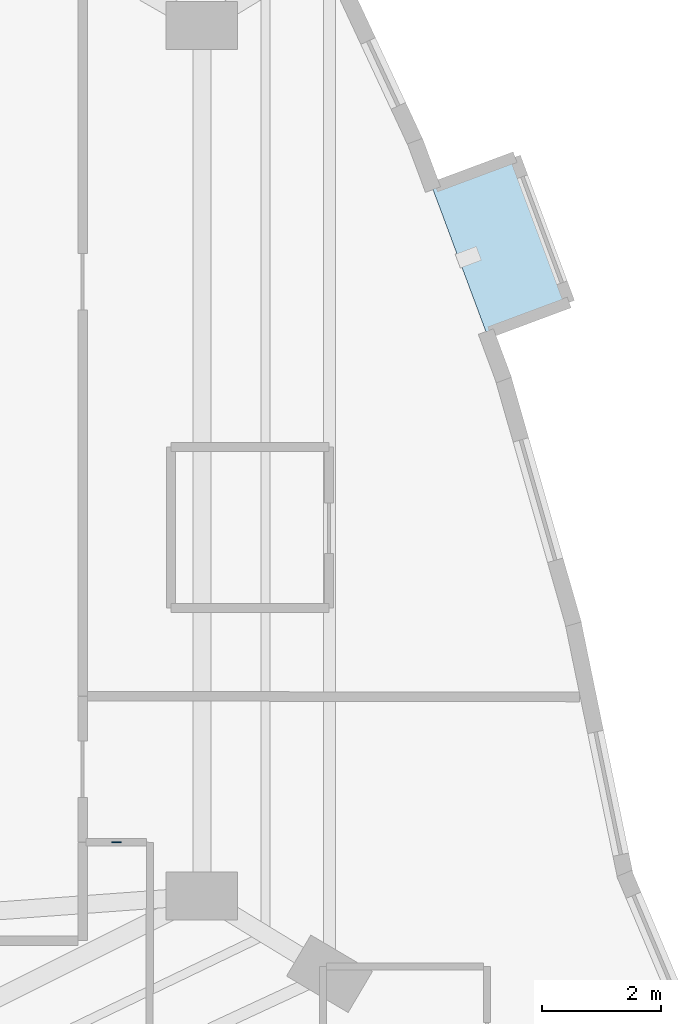
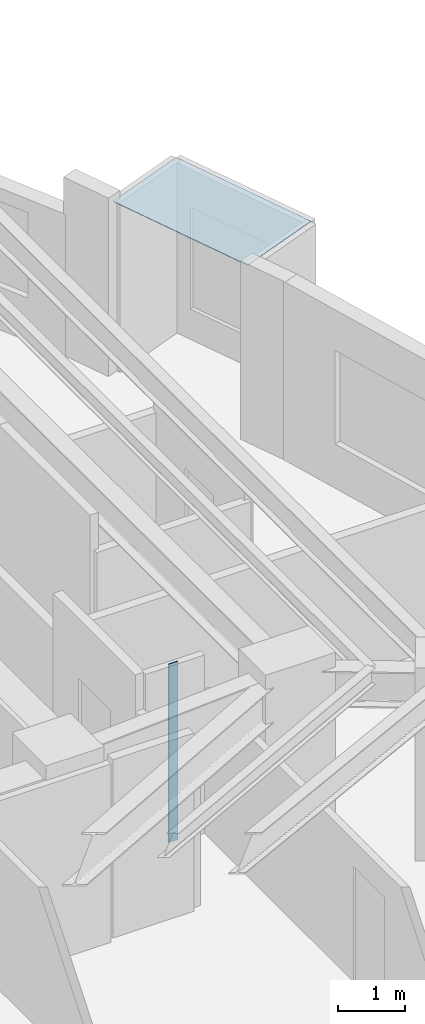
# One storey, part 3 of 10: 2 plates.
"""IFC4 building model written with IfcOpenShell, lengths in metres."""

import ifcopenshell
import ifcopenshell.guid

model = None  # the IFC model being written
_history = None  # IfcOwnerHistory: only IFC2X3 demands one
_inside = {}  # id of a spatial element -> (the spatial element, [elements in it])
_under = {}  # id of a project, library or spatial element -> (it, [spatial elements below it])
_declared = {}  # id of a project -> (the project, [libraries it declares])
_typed = {}  # id of a type object -> (the type object, [elements of that type])
_made_of = {}  # id of a material, layer set ... -> (it, [elements and type objects made of it])


def new_model(schema):
    """Start an empty IFC model of exactly this schema.

    Asked for "IFC4X3", IfcOpenShell would pick the latest addendum, in which some entities
    have other attributes; the version numbers below select the first issue.
    IFC2X3 requires an IfcOwnerHistory on every rooted entity: one is made here for all.
    """
    global model, _history
    if schema == "IFC4X3":
        model = ifcopenshell.file(schema_version=(4, 3, 0, 0))
    else:
        model = ifcopenshell.file(schema=schema)
    _inside.clear()
    _under.clear()
    _declared.clear()
    _typed.clear()
    _made_of.clear()
    _history = None
    if model.schema == "IFC2X3":
        org = make("IfcOrganization", Name="unknown")
        user = make(
            "IfcPersonAndOrganization",
            ThePerson=make("IfcPerson", FamilyName="unknown"),
            TheOrganization=org,
        )
        app = make(
            "IfcApplication",
            ApplicationDeveloper=org,
            Version="unknown",
            ApplicationFullName="unknown",
            ApplicationIdentifier="unknown",
        )
        _history = make(
            "IfcOwnerHistory",
            OwningUser=user,
            OwningApplication=app,
            ChangeAction="ADDED",
            CreationDate=0,
        )
    return model


def make(cls, **values):
    """One entity of the class cls with the attributes given. An attribute that is None is left unset."""
    return model.create_entity(
        cls, **{name: value for name, value in values.items() if value is not None}
    )


def rooted(cls, **values):
    """An entity with a GlobalId (a new one), such as an element, a storey or a relation."""
    return make(cls, GlobalId=ifcopenshell.guid.new(), OwnerHistory=_history, **values)


def si_unit(unit_type, name, prefix=None):
    """IfcSIUnit, for example si_unit("LENGTHUNIT", "METRE", prefix="MILLI")."""
    return make("IfcSIUnit", UnitType=unit_type, Prefix=prefix, Name=name)


def assignment(units):
    """IfcUnitAssignment: the units of a project."""
    return None if units is None else make("IfcUnitAssignment", Units=units)


def point(xyz):
    """IfcCartesianPoint."""
    return None if xyz is None else make("IfcCartesianPoint", Coordinates=xyz)


def direction(xyz):
    """IfcDirection."""
    return None if xyz is None else make("IfcDirection", DirectionRatios=xyz)


def frame(location, z_axis=None, x_axis=None):
    """IfcAxis2Placement3D, a coordinate frame: its origin and axes. An axis left out is left unset."""
    return make(
        "IfcAxis2Placement3D",
        Location=point(location),
        Axis=direction(z_axis),
        RefDirection=direction(x_axis),
    )


def frame_2d(location, x_axis=None):
    """IfcAxis2Placement2D, a coordinate frame in the plane: its origin and x axis."""
    return make(
        "IfcAxis2Placement2D", Location=point(location), RefDirection=direction(x_axis)
    )


def origin():
    """The frame at (0, 0, 0) with its axes left unset."""
    return frame((0.0, 0.0, 0.0))


def origin_2d():
    """The frame at (0, 0) in the plane with its x axis left unset."""
    return frame_2d((0.0, 0.0))


def place(relative_to, where):
    """IfcLocalPlacement: puts the frame where relative to a parent placement (None: the world)."""
    return make(
        "IfcLocalPlacement", PlacementRelTo=relative_to, RelativePlacement=where
    )


def context(
    kind, dimensions, precision=None, world=None, true_north=None, identifier=None
):
    """IfcGeometricRepresentationContext, for example the 3D "Model" context."""
    return make(
        "IfcGeometricRepresentationContext",
        ContextIdentifier=identifier,
        ContextType=kind,
        CoordinateSpaceDimension=dimensions,
        Precision=precision,
        WorldCoordinateSystem=world,
        TrueNorth=true_north,
    )


def subcontext(parent, identifier, kind, view, scale=None):
    """IfcGeometricRepresentationSubContext, for example "Body" below "Model"."""
    return make(
        "IfcGeometricRepresentationSubContext",
        ContextIdentifier=identifier,
        ContextType=kind,
        ParentContext=parent,
        TargetScale=scale,
        TargetView=view,
    )


def project(units=None, contexts=None):
    """IfcProject with its units and contexts."""
    return rooted(
        "IfcProject",
        Name="project",
        RepresentationContexts=contexts,
        UnitsInContext=assignment(units),
    )


def spatial(cls, under=None, at=None, **own):
    """A site, building, storey or space (cls), placed at a placement, below another one or the project."""
    s = rooted(cls, ObjectPlacement=at, **own)
    if under is not None:
        _under.setdefault(under.id(), (under, []))[1].append(s)
    return s


def polyline(points):
    """IfcPolyline through the points."""
    return make("IfcPolyline", Points=[point(p) for p in points])


def profile(cls, at=None, kind="AREA", **sizes):
    """A parametric profile (cls). Its sizes go by their IFC names, for example OverallWidth=200.0."""
    return make(cls, ProfileType=kind, Position=at, **sizes)


def rectangle(**sizes):
    """IfcRectangleProfileDef."""
    return profile("IfcRectangleProfileDef", **sizes)


def outline(outer, holes=None, kind="AREA"):
    """IfcArbitraryClosedProfileDef: a profile drawn as a closed curve; with holes, ...WithVoids."""
    if holes is None:
        return make("IfcArbitraryClosedProfileDef", ProfileType=kind, OuterCurve=outer)
    return make(
        "IfcArbitraryProfileDefWithVoids",
        ProfileType=kind,
        OuterCurve=outer,
        InnerCurves=holes,
    )


def extrude(swept, where, along, depth):
    """IfcExtrudedAreaSolid: the profile swept, set in the frame where, extruded along a direction by depth."""
    return make(
        "IfcExtrudedAreaSolid",
        SweptArea=swept,
        Position=where,
        ExtrudedDirection=direction(along),
        Depth=depth,
    )


def shape(context_of_items, identifier, shape_type, items):
    """IfcShapeRepresentation: the items that make up one representation, for example the "Body"."""
    return make(
        "IfcShapeRepresentation",
        ContextOfItems=context_of_items,
        RepresentationIdentifier=identifier,
        RepresentationType=shape_type,
        Items=items,
    )


def material(Name=None, Category=None):
    """IfcMaterial."""
    return make("IfcMaterial", Name=Name, Category=Category)


def layer(
    of_material, thickness, ventilated=None, Name=None, Category=None, Priority=None
):
    """IfcMaterialLayer: one layer of a wall or slab, of a material (None: an air gap)."""
    return make(
        "IfcMaterialLayer",
        Material=of_material,
        LayerThickness=thickness,
        IsVentilated=ventilated,
        Name=Name,
        Category=Category,
        Priority=Priority,
    )


def layer_set(layers, Name=None):
    """IfcMaterialLayerSet."""
    return make("IfcMaterialLayerSet", MaterialLayers=layers, LayerSetName=Name)


def made_of(thing, what):
    """Note that an element or type object is made of a material, layer set ...; save() writes the relation."""
    if what is not None:
        _made_of.setdefault(what.id(), (what, []))[1].append(thing)
    return thing


def type_object(cls, material=None, **own):
    """A type object (cls), such as IfcWallType, which elements share."""
    return made_of(rooted(cls, **own), material)


def element(
    cls,
    number,
    at=None,
    inside=None,
    cuts=None,
    type_object=None,
    material=None,
    context=None,
    identifier="Body",
    shape_type=None,
    held_by="IfcProductDefinitionShape",
    body=None,
    shapes=None,
    **own,
):
    """One element of the class cls, such as IfcWall. Its Tag is "e" and its number.

    at: its placement. inside: the storey or other place that contains it. cuts: it is an
    opening in that element (IfcRelVoidsElement). A single representation is given by context,
    identifier, shape_type and body (its items); several are given by shapes. held_by: the class
    of the entity that holds the representations. save() writes the other relations.
    """
    e = rooted(cls, Tag="e%d" % number, ObjectPlacement=at, **own)
    if body is not None:
        shapes = [shape(context, identifier, shape_type, body)]
    if shapes is not None:
        e.Representation = make(held_by, Representations=shapes)
    if inside is not None:
        _inside.setdefault(inside.id(), (inside, []))[1].append(e)
    if cuts is not None:
        rooted(
            "IfcRelVoidsElement", RelatingBuildingElement=cuts, RelatedOpeningElement=e
        )
    if type_object is not None:
        _typed.setdefault(type_object.id(), (type_object, []))[1].append(e)
    return made_of(e, material)


def aggregate(whole, parts):
    """IfcRelAggregates: a whole, such as a stair, and the parts it consists of."""
    return rooted("IfcRelAggregates", RelatingObject=whole, RelatedObjects=parts)


def save(model, path):
    """Write the relations noted so far, then the file.

    IfcRelAggregates (storeys below a building ...), IfcRelContainedInSpatialStructure (elements
    in a storey), IfcRelDefinesByType, IfcRelAssociatesMaterial and IfcRelDeclares: one each for
    every whole, place, type object, material and project.
    """
    for whole, parts in _under.values():
        aggregate(whole, parts)
    for where, things in _inside.values():
        rooted(
            "IfcRelContainedInSpatialStructure",
            RelatedElements=things,
            RelatingStructure=where,
        )
    for kind, things in _typed.values():
        rooted("IfcRelDefinesByType", RelatedObjects=things, RelatingType=kind)
    for what, things in _made_of.values():
        rooted("IfcRelAssociatesMaterial", RelatedObjects=things, RelatingMaterial=what)
    for by, libraries in _declared.values():
        rooted("IfcRelDeclares", RelatingContext=by, RelatedDefinitions=libraries)
    model.write(path)


model = new_model("IFC4")

# Units and contexts
model_context = context("Model", 3, precision=1e-05, world=origin(), true_north=direction((0.0, 1.0)))
body_context = subcontext(model_context, "Body", "Model", "MODEL_VIEW")
ifc_project = project(units=[si_unit("LENGTHUNIT", "METRE"), si_unit("AREAUNIT", "SQUARE_METRE"), si_unit("VOLUMEUNIT", "CUBIC_METRE"), si_unit("PLANEANGLEUNIT", "RADIAN"), si_unit("MASSUNIT", "GRAM", prefix="KILO")], contexts=[model_context])

# Site, building, storey
site_placement = place(None, origin())
site = spatial("IfcSite", under=ifc_project, at=site_placement, CompositionType="ELEMENT")
building_placement = place(site_placement, origin())
building = spatial("IfcBuilding", under=site, at=building_placement, Name="Miruveldt Soraemaru", CompositionType="ELEMENT")
storey_placement = place(building_placement, frame((0.0, 0.0, 173.89990234375)))
storey = spatial("IfcBuildingStorey", under=building, at=storey_placement, Name="L48", CompositionType="ELEMENT", Elevation=173.89990234375)

# Plates
ifc_material_1 = material(Name="Anodised aluminium EN AW-6063 T6", Category="aluminium")
ifc_layer_1 = layer(ifc_material_1, 0.02001953125, Name="Anodised aluminium EN AW-6063 T6", Category="aluminium")
ifc_layer_set_1 = layer_set([ifc_layer_1], Name="Anodised aluminium EN AW-6063 T6")
plate_type_1 = type_object("IfcPlateType", Name="PLT-PART-TRIM", PredefinedType="SHEET", material=ifc_layer_set_1)
plate_1_placement = place(storey_placement, frame((55.16455078125, 36.700927734375, 0.0), z_axis=(0.0, 0.0, 1.0), x_axis=(1.0, 0.0, 0.0)))
element("IfcPlate", 1, at=plate_1_placement, inside=storey, type_object=plate_type_1, Name="L48 Partition Step Corner Trim Plate 044", PredefinedType="SHEET", context=body_context, shape_type="SweptSolid", body=[
    extrude(rectangle(XDim=0.159912109375, YDim=0.02001953125, at=origin_2d()), origin(), (0.0, 0.0, 1.0), 3.235107421875),
])
ifc_material_2 = material(Name="Standing-seam titanium-zinc sheet", Category="aluminium")
ifc_layer_2 = layer(ifc_material_2, 0.011962890625, Name="Standing-seam titanium-zinc sheet", Category="aluminium")
ifc_layer_set_2 = layer_set([ifc_layer_2], Name="Standing-seam titanium-zinc sheet")
plate_type_2 = type_object("IfcPlateType", Name="PLT-ZINC-12", PredefinedType="SHEET", material=ifc_layer_set_2)
plate_2_placement = place(storey_placement, frame((0.0, 0.0, 3.085205078125)))
element("IfcPlate", 2, at=plate_2_placement, inside=storey, type_object=plate_type_2, Name="L48 Bay Window Zinc Hood Sheet 4", PredefinedType="SHEET", context=body_context, shape_type="SweptSolid", body=[
    extrude(outline(polyline([(61.373046875, 45.23779296875), (60.4658203125, 47.67431640625), (61.8525390625, 48.19091796875), (62.760009765625, 45.75439453125), (61.373046875, 45.23779296875)])), origin(), (0.0, 0.0, 1.0), 0.011962890625),
])

save(model, "model.ifc")
